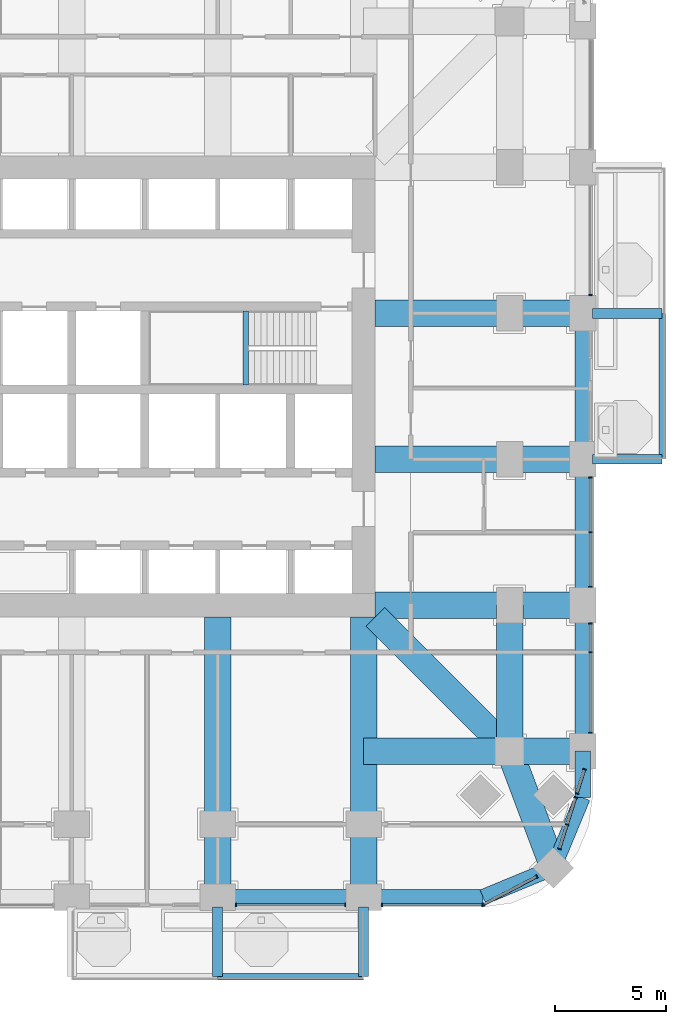
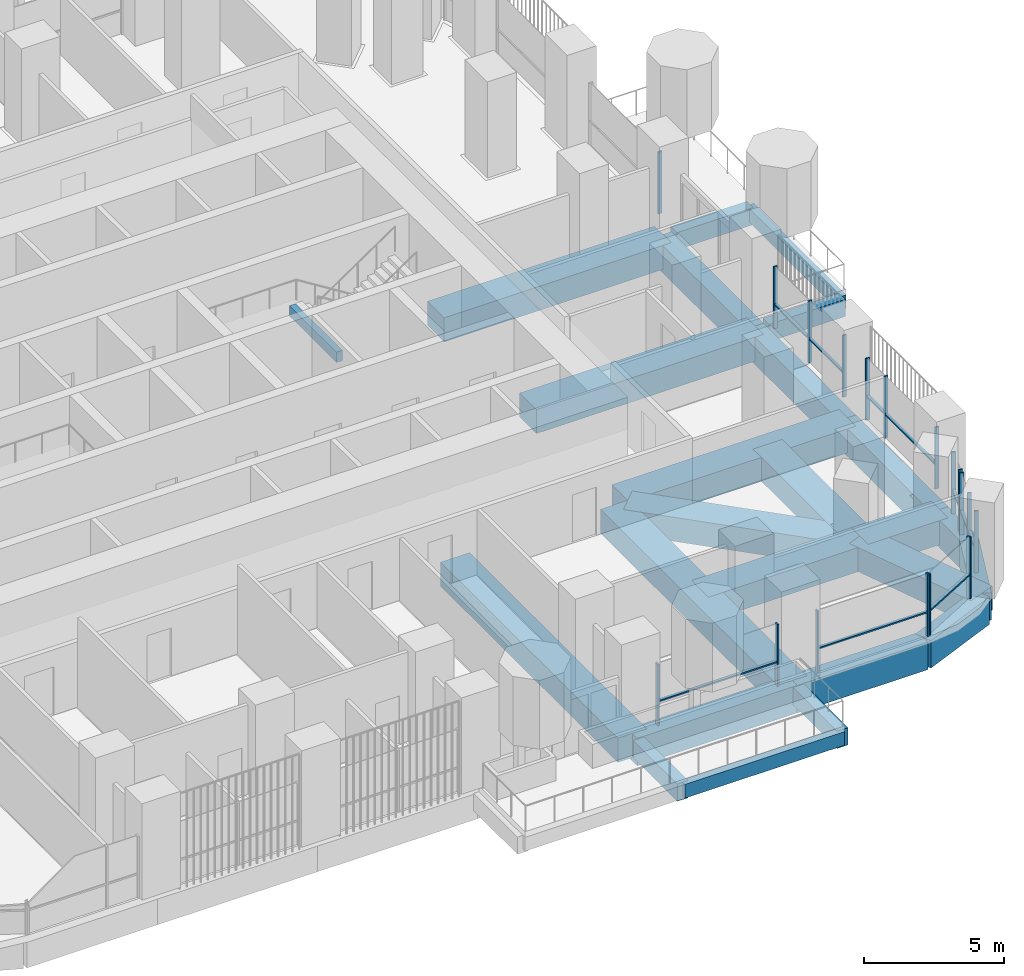
# One storey, part 5 of 22: 28 members, 25 beams, 8 elements without a shape of their own.
"""IFC4 building model written with IfcOpenShell, lengths in metres."""

from ifc_helpers import new_model, si_unit, direction, frame, origin, origin_2d, place, context, subcontext, project, spatial, rectangle, extrude, material, material_profile, profile_set, type_object, element, aggregate, save


model = new_model("IFC4")

# Units and contexts
model_context = context("Model", 3, precision=1e-05, world=origin(), true_north=direction((0.0, 1.0)))
body_context = subcontext(model_context, "Body", "Model", "MODEL_VIEW")
ifc_project = project(units=[si_unit("LENGTHUNIT", "METRE"), si_unit("AREAUNIT", "SQUARE_METRE"), si_unit("VOLUMEUNIT", "CUBIC_METRE"), si_unit("PLANEANGLEUNIT", "RADIAN"), si_unit("MASSUNIT", "GRAM", prefix="KILO")], contexts=[model_context])

# Site, building, storey
site_placement = place(None, origin())
site = spatial("IfcSite", under=ifc_project, at=site_placement, CompositionType="ELEMENT")
building_placement = place(site_placement, origin())
building = spatial("IfcBuilding", under=site, at=building_placement, Name="Cobogo Forest Laboratory Tower", CompositionType="ELEMENT")
storey_placement = place(building_placement, frame((0.0, 0.0, 94.800048828125)))
storey = spatial("IfcBuildingStorey", under=building, at=storey_placement, Name="L21", CompositionType="ELEMENT", Elevation=94.800048828125)

# Beams
ifc_material_1 = material(Name="Concrete HA-40 (C40/50)", Category="concrete")
ifc_material_profile_1 = material_profile(ifc_material_1, rectangle(XDim=0.449951171875, YDim=0.75, at=origin_2d()), Name="RC 450x750")
ifc_profile_set_1 = profile_set([ifc_material_profile_1], Name="Concrete HA-40 (C40/50)")
beam_type_1 = type_object("IfcBeamType", Name="Balcony cantilever beam 450x750", PredefinedType="BEAM", material=ifc_profile_set_1)
for number, where, z_axis, x_axis, name in (
    (1, (33.0, -0.449951171875, -0.625), (0.0, -1.0, 0.0), (1.0, 0.0, 0.0), "CB1 BAL-S1-C2 L21"),
    (2, (39.60009765625, -0.449951171875, -0.625), (0.0, -1.0, 0.0), (1.0, 0.0, 0.0), "CB1 BAL-S1-C3 L21"),
    (3, (49.949951171875, 19.800048828125, -0.625), (1.0, 0.0, 0.0), (0.0, 1.0, 0.0), "CB1 BAL-E1-C1 L21"),
    (4, (49.949951171875, 26.39990234375, -0.625), (1.0, 0.0, 0.0), (0.0, 1.0, 0.0), "CB1 BAL-E1-C2 L21"),
):
    element("IfcBeam", number, at=place(storey_placement, frame(where, z_axis=z_axis, x_axis=x_axis)), inside=storey, type_object=beam_type_1, Name=name, PredefinedType="BEAM", context=body_context, shape_type="SweptSolid", body=[
        extrude(rectangle(XDim=0.449951171875, YDim=0.75, at=origin_2d()), origin(), (0.0, 0.0, 1.0), 3.150146484375),
    ])
ifc_material_profile_2 = material_profile(ifc_material_1, rectangle(XDim=0.300048828125, YDim=0.60009765625, at=origin_2d()), Name="RC 300x600")
ifc_profile_set_2 = profile_set([ifc_material_profile_2], Name="Concrete HA-40 (C40/50)")
beam_type_2 = type_object("IfcBeamType", Name="Balcony edge beam 300x600", PredefinedType="BEAM", material=ifc_profile_set_2)
beam_1_placement = place(storey_placement, frame((33.0, -3.60009765625, -0.550048828125), z_axis=(1.0, 0.0, 0.0), x_axis=(0.0, 1.0, 0.0)))
element("IfcBeam", 5, at=beam_1_placement, inside=storey, type_object=beam_type_2, Name="BB1 BAL-S1-T2 L21", PredefinedType="BEAM", context=body_context, shape_type="SweptSolid", body=[
    extrude(rectangle(XDim=0.300048828125, YDim=0.60009765625, at=origin_2d()), origin(), (0.0, 0.0, 1.0), 6.60009765625),
])
beam_2_placement = place(storey_placement, frame((53.10009765625, 19.800048828125, -0.550048828125), z_axis=(0.0, 1.0, 0.0), x_axis=(-1.0, 0.0, 0.0)))
element("IfcBeam", 6, at=beam_2_placement, inside=storey, type_object=beam_type_2, Name="BB1 BAL-E1-T1 L21", PredefinedType="BEAM", context=body_context, shape_type="SweptSolid", body=[
    extrude(rectangle(XDim=0.300048828125, YDim=0.60009765625, at=origin_2d()), origin(), (0.0, 0.0, 1.0), 6.599853515625),
])
ifc_material_profile_3 = material_profile(ifc_material_1, rectangle(XDim=0.25, YDim=0.449951171875, at=origin_2d()), Name="RC 250x450")
ifc_profile_set_3 = profile_set([ifc_material_profile_3], Name="Concrete HA-40 (C40/50)")
beam_type_3 = type_object("IfcBeamType", Name="LB1 landing beam 250x450", PredefinedType="BEAM", material=ifc_profile_set_3)
beam_3_placement = place(storey_placement, frame((34.27001953125, 23.14990234375, 1.675048828125), z_axis=(0.0, 1.0, 0.0), x_axis=(-1.0, 0.0, 0.0)))
element("IfcBeam", 7, at=beam_3_placement, inside=storey, type_object=beam_type_3, Name="Landing beam ST2 L21", PredefinedType="BEAM", context=body_context, shape_type="SweptSolid", body=[
    extrude(rectangle(XDim=0.25, YDim=0.449951171875, at=origin_2d()), origin(), (0.0, 0.0, 1.0), 3.35009765625),
])
ifc_material_profile_4 = material_profile(ifc_material_1, rectangle(XDim=1.199951171875, YDim=1.050048828125, at=origin_2d()), Name="RC 1200x1050")
ifc_profile_set_4 = profile_set([ifc_material_profile_4], Name="Concrete HA-40 (C40/50)")
beam_type_4 = type_object("IfcBeamType", Name="Laboratory floor wide beam 1200x1050", PredefinedType="BEAM", material=ifc_profile_set_4)
for number, where, z_axis, x_axis, name in (
    (8, (33.0, 12.675048828125, -0.824951171875), (0.0, -1.0, 0.0), (1.0, 0.0, 0.0), "RB1 R-6-S L21"),
    (9, (39.60009765625, 12.675048828125, -0.824951171875), (0.0, -1.0, 0.0), (1.0, 0.0, 0.0), "RB1 R-7-S L21"),
):
    element("IfcBeam", number, at=place(storey_placement, frame(where, z_axis=z_axis, x_axis=x_axis)), inside=storey, type_object=beam_type_4, Name=name, PredefinedType="BEAM", context=body_context, shape_type="SweptSolid", body=[
        extrude(rectangle(XDim=1.199951171875, YDim=1.050048828125, at=origin_2d()), origin(), (0.0, 0.0, 1.0), 12.675048828125),
    ])
for number, where, z_axis, x_axis, name in (
    (10, (40.125, 13.199951171875, -0.824951171875), (1.0, 0.0, 0.0), (0.0, 1.0, 0.0), "RB1 R-C-E L21"),
    (11, (40.125, 19.800048828125, -0.824951171875), (1.0, 0.0, 0.0), (0.0, 1.0, 0.0), "RB1 R-D-E L21"),
    (12, (40.125, 26.39990234375, -0.824951171875), (1.0, 0.0, 0.0), (0.0, 1.0, 0.0), "RB1 R-E-E L21"),
):
    element("IfcBeam", number, at=place(storey_placement, frame(where, z_axis=z_axis, x_axis=x_axis)), inside=storey, type_object=beam_type_4, Name=name, PredefinedType="BEAM", context=body_context, shape_type="SweptSolid", body=[
        extrude(rectangle(XDim=1.199951171875, YDim=1.050048828125, at=origin_2d()), origin(), (0.0, 0.0, 1.0), 9.375),
    ])
beam_4_placement = place(storey_placement, frame((46.199951171875, 6.60009765625, -0.824951171875), z_axis=(0.0, 1.0, 0.0), x_axis=(-1.0, 0.0, 0.0)))
element("IfcBeam", 13, at=beam_4_placement, inside=storey, type_object=beam_type_4, Name="RB1 G-SE-XC L21", PredefinedType="BEAM", context=body_context, shape_type="SweptSolid", body=[
    extrude(rectangle(XDim=1.199951171875, YDim=1.050048828125, at=origin_2d()), origin(), (0.0, 0.0, 1.0), 6.599853515625),
])
beam_5_placement = place(storey_placement, frame((49.5, 6.60009765625, -0.824951171875), z_axis=(-1.0, 0.0, 0.0), x_axis=(0.0, -1.0, 0.0)))
element("IfcBeam", 14, at=beam_5_placement, inside=storey, type_object=beam_type_4, Name="RB1 G-SE-YF L21", PredefinedType="BEAM", context=body_context, shape_type="SweptSolid", body=[
    extrude(rectangle(XDim=1.199951171875, YDim=1.050048828125, at=origin_2d()), origin(), (0.0, 0.0, 1.0), 3.300048828125),
])
beam_6_placement = place(storey_placement, frame((46.199951171875, 6.60009765625, -0.824951171875), z_axis=(-1.0, 0.0, 0.0), x_axis=(0.0, -1.0, 0.0)))
element("IfcBeam", 15, at=beam_6_placement, inside=storey, type_object=beam_type_4, Name="RB1 G-SE-YC L21", PredefinedType="BEAM", context=body_context, shape_type="SweptSolid", body=[
    extrude(rectangle(XDim=1.199951171875, YDim=1.050048828125, at=origin_2d()), origin(), (0.0, 0.0, 1.0), 6.599853515625),
])
beam_7_placement = place(storey_placement, frame((48.181884765625, 1.318115234375, -0.824951171875), z_axis=(-0.351308391925, 0.936259800356, 0.0), x_axis=(-0.936259800356, -0.351308391925, 0.0)))
element("IfcBeam", 16, at=beam_7_placement, inside=storey, type_object=beam_type_4, Name="RB1 G-SE-D1 L21", PredefinedType="BEAM", context=body_context, shape_type="SweptSolid", body=[
    extrude(rectangle(XDim=1.199951171875, YDim=1.050048828125, at=origin_2d()), origin(), (0.0, 0.0, 1.0), 5.6416015625),
])
beam_8_placement = place(storey_placement, frame((46.199951171875, 6.60009765625, -0.824951171875), z_axis=(-0.707106781187, 0.707106781187, 0.0), x_axis=(-0.707106781187, -0.707106781187, 0.0)))
element("IfcBeam", 17, at=beam_8_placement, inside=storey, type_object=beam_type_4, Name="RB1 G-SE-D2 L21", PredefinedType="BEAM", context=body_context, shape_type="SweptSolid", body=[
    extrude(rectangle(XDim=1.199951171875, YDim=1.050048828125, at=origin_2d()), origin(), (0.0, 0.0, 1.0), 8.59130859375),
])

# Curtain wall, members
ifc_material_2 = material(Name="Aluminium curtain wall", Category="aluminium")
curtain_wall_type = type_object("IfcCurtainWallType", Name="CW-1 unitised curtain wall, clear glazing, laboratory floors zones A and B", PredefinedType="USERDEFINED", material=ifc_material_2)
curtain_wall_1_placement = place(storey_placement, origin())
curtain_wall_1 = element("IfcCurtainWall", 18, at=curtain_wall_1_placement, inside=storey, type_object=curtain_wall_type, Name="Curtain wall 05 L21", ObjectType="UNITISED CURTAIN WALL", PredefinedType="USERDEFINED")
ifc_material_3 = material(Name="Aluminium mullion", Category="aluminium")
ifc_material_profile_5 = material_profile(ifc_material_3, rectangle(XDim=0.06005859375, YDim=0.159912109375, at=origin_2d()), Name="AL 60x160")
ifc_profile_set_5 = profile_set([ifc_material_profile_5], Name="Aluminium mullion")
member_type_1 = type_object("IfcMemberType", Name="MU-1 aluminium mullion 60x160", PredefinedType="MULLION", material=ifc_profile_set_5)
member_1_placement = place(storey_placement, frame((33.830078125, -0.35009765625, 0.0), z_axis=(0.0, 0.0, 1.0), x_axis=(1.0, 0.0, 0.0)))
member_1 = element("IfcMember", 19, at=member_1_placement, type_object=member_type_1, Name="CW-1 mullion 1", PredefinedType="MULLION", context=body_context, shape_type="SweptSolid", body=[
    extrude(rectangle(XDim=0.06005859375, YDim=0.159912109375, at=origin_2d()), origin(), (0.0, 0.0, 1.0), 2.699951171875),
])
member_2_placement = place(storey_placement, frame((38.77001953125, -0.35009765625, 0.0), z_axis=(0.0, 0.0, 1.0), x_axis=(1.0, 0.0, 0.0)))
member_2 = element("IfcMember", 20, at=member_2_placement, type_object=member_type_1, Name="CW-1 mullion 2", PredefinedType="MULLION", context=body_context, shape_type="SweptSolid", body=[
    extrude(rectangle(XDim=0.06005859375, YDim=0.159912109375, at=origin_2d()), origin(), (0.0, 0.0, 1.0), 2.699951171875),
])

curtain_wall_2_placement = place(storey_placement, origin())
curtain_wall_2 = element("IfcCurtainWall", 21, at=curtain_wall_2_placement, inside=storey, type_object=curtain_wall_type, Name="Curtain wall 06 L21", ObjectType="UNITISED CURTAIN WALL", PredefinedType="USERDEFINED")
member_3_placement = place(storey_placement, frame((40.429931640625, -0.35009765625, 0.0), z_axis=(0.0, 0.0, 1.0), x_axis=(1.0, 0.0, 0.0)))
member_3 = element("IfcMember", 22, at=member_3_placement, type_object=member_type_1, Name="CW-1 mullion 1", PredefinedType="MULLION", context=body_context, shape_type="SweptSolid", body=[
    extrude(rectangle(XDim=0.06005859375, YDim=0.159912109375, at=origin_2d()), origin(), (0.0, 0.0, 1.0), 2.699951171875),
])
member_4_placement = place(storey_placement, frame((44.969970703125, -0.35009765625, 0.0), z_axis=(0.0, 0.0, 1.0), x_axis=(1.0, 0.0, 0.0)))
member_4 = element("IfcMember", 23, at=member_4_placement, type_object=member_type_1, Name="CW-1 mullion 2", PredefinedType="MULLION", context=body_context, shape_type="SweptSolid", body=[
    extrude(rectangle(XDim=0.06005859375, YDim=0.159912109375, at=origin_2d()), origin(), (0.0, 0.0, 1.0), 2.699951171875),
])

curtain_wall_3_placement = place(storey_placement, origin())
curtain_wall_3 = element("IfcCurtainWall", 24, at=curtain_wall_3_placement, inside=storey, type_object=curtain_wall_type, Name="Curtain wall 07 L21", ObjectType="UNITISED CURTAIN WALL", PredefinedType="USERDEFINED")
member_5_placement = place(storey_placement, frame((45.026611328125, -0.336181640625, 0.0), z_axis=(0.0, 0.0, 1.0), x_axis=(0.885686547075, 0.464283685186, 0.0)))
member_5 = element("IfcMember", 25, at=member_5_placement, type_object=member_type_1, Name="CW-1 mullion 1", PredefinedType="MULLION", context=body_context, shape_type="SweptSolid", body=[
    extrude(rectangle(XDim=0.06005859375, YDim=0.159912109375, at=origin_2d()), origin(), (0.0, 0.0, 1.0), 2.699951171875),
])
member_6_placement = place(storey_placement, frame((47.431640625, 0.9248046875, 0.0), z_axis=(0.0, 0.0, 1.0), x_axis=(0.885686547075, 0.464283685186, 0.0)))
member_6 = element("IfcMember", 26, at=member_6_placement, type_object=member_type_1, Name="CW-1 mullion 2", PredefinedType="MULLION", context=body_context, shape_type="SweptSolid", body=[
    extrude(rectangle(XDim=0.06005859375, YDim=0.159912109375, at=origin_2d()), origin(), (0.0, 0.0, 1.0), 2.699951171875),
])

curtain_wall_4_placement = place(storey_placement, origin())
curtain_wall_4 = element("IfcCurtainWall", 27, at=curtain_wall_4_placement, inside=storey, type_object=curtain_wall_type, Name="Curtain wall 08 L21", ObjectType="UNITISED CURTAIN WALL", PredefinedType="USERDEFINED")
member_7_placement = place(storey_placement, frame((48.455810546875, 2.18505859375, 0.0), z_axis=(0.0, 0.0, 1.0), x_axis=(0.301135291996, 0.953581425949, 0.0)))
member_7 = element("IfcMember", 28, at=member_7_placement, type_object=member_type_1, Name="CW-1 mullion 1", PredefinedType="MULLION", context=body_context, shape_type="SweptSolid", body=[
    extrude(rectangle(XDim=0.06005859375, YDim=0.159912109375, at=origin_2d()), origin(), (0.0, 0.0, 1.0), 2.699951171875),
])
member_8_placement = place(storey_placement, frame((48.80029296875, 3.27587890625, 0.0), z_axis=(0.0, 0.0, 1.0), x_axis=(0.301135291996, 0.953581425949, 0.0)))
member_8 = element("IfcMember", 29, at=member_8_placement, type_object=member_type_1, Name="CW-1 mullion 2", PredefinedType="MULLION", context=body_context, shape_type="SweptSolid", body=[
    extrude(rectangle(XDim=0.06005859375, YDim=0.159912109375, at=origin_2d()), origin(), (0.0, 0.0, 1.0), 2.699951171875),
])
member_9_placement = place(storey_placement, frame((49.18701171875, 4.500244140625, 0.0), z_axis=(0.0, 0.0, 1.0), x_axis=(0.301135291996, 0.953581425949, 0.0)))
member_9 = element("IfcMember", 30, at=member_9_placement, type_object=member_type_1, Name="CW-1 mullion 3", PredefinedType="MULLION", context=body_context, shape_type="SweptSolid", body=[
    extrude(rectangle(XDim=0.06005859375, YDim=0.159912109375, at=origin_2d()), origin(), (0.0, 0.0, 1.0), 2.699951171875),
])

curtain_wall_5_placement = place(storey_placement, origin())
curtain_wall_5 = element("IfcCurtainWall", 31, at=curtain_wall_5_placement, inside=storey, type_object=curtain_wall_type, Name="Curtain wall 09 L21", ObjectType="UNITISED CURTAIN WALL", PredefinedType="USERDEFINED")
member_10_placement = place(storey_placement, frame((49.247802734375, 4.69287109375, 0.0), z_axis=(0.0, 0.0, 1.0), x_axis=(0.301135667865, 0.953581307252, 0.0)))
member_10 = element("IfcMember", 32, at=member_10_placement, type_object=member_type_1, Name="CW-1 mullion 1", PredefinedType="MULLION", context=body_context, shape_type="SweptSolid", body=[
    extrude(rectangle(XDim=0.06005859375, YDim=0.159912109375, at=origin_2d()), origin(), (0.0, 0.0, 1.0), 2.699951171875),
])
member_11_placement = place(storey_placement, frame((49.58837890625, 5.771484375, 0.0), z_axis=(0.0, 0.0, 1.0), x_axis=(0.301135667865, 0.953581307252, 0.0)))
member_11 = element("IfcMember", 33, at=member_11_placement, type_object=member_type_1, Name="CW-1 mullion 2", PredefinedType="MULLION", context=body_context, shape_type="SweptSolid", body=[
    extrude(rectangle(XDim=0.06005859375, YDim=0.159912109375, at=origin_2d()), origin(), (0.0, 0.0, 1.0), 2.699951171875),
])

curtain_wall_6_placement = place(storey_placement, origin())
curtain_wall_6 = element("IfcCurtainWall", 34, at=curtain_wall_6_placement, inside=storey, type_object=curtain_wall_type, Name="Curtain wall 10 L21", ObjectType="UNITISED CURTAIN WALL", PredefinedType="USERDEFINED")
member_12_placement = place(storey_placement, frame((49.85009765625, 7.429931640625, 0.0), z_axis=(0.0, 0.0, 1.0), x_axis=(0.0, 1.0, 0.0)))
member_12 = element("IfcMember", 35, at=member_12_placement, type_object=member_type_1, Name="CW-1 mullion 1", PredefinedType="MULLION", context=body_context, shape_type="SweptSolid", body=[
    extrude(rectangle(XDim=0.06005859375, YDim=0.159912109375, at=origin_2d()), origin(), (0.0, 0.0, 1.0), 2.699951171875),
])
member_13_placement = place(storey_placement, frame((49.85009765625, 11.074951171875, 0.0), z_axis=(0.0, 0.0, 1.0), x_axis=(0.0, 1.0, 0.0)))
member_13 = element("IfcMember", 36, at=member_13_placement, type_object=member_type_1, Name="CW-1 mullion 2", PredefinedType="MULLION", context=body_context, shape_type="SweptSolid", body=[
    extrude(rectangle(XDim=0.06005859375, YDim=0.159912109375, at=origin_2d()), origin(), (0.0, 0.0, 1.0), 2.699951171875),
])
member_14_placement = place(storey_placement, frame((49.85009765625, 12.3701171875, 0.0), z_axis=(0.0, 0.0, 1.0), x_axis=(0.0, 1.0, 0.0)))
member_14 = element("IfcMember", 37, at=member_14_placement, type_object=member_type_1, Name="CW-1 mullion 3", PredefinedType="MULLION", context=body_context, shape_type="SweptSolid", body=[
    extrude(rectangle(XDim=0.06005859375, YDim=0.159912109375, at=origin_2d()), origin(), (0.0, 0.0, 1.0), 2.699951171875),
])

curtain_wall_7_placement = place(storey_placement, origin())
curtain_wall_7 = element("IfcCurtainWall", 38, at=curtain_wall_7_placement, inside=storey, type_object=curtain_wall_type, Name="Curtain wall 11 L21", ObjectType="UNITISED CURTAIN WALL", PredefinedType="USERDEFINED")
member_15_placement = place(storey_placement, frame((49.85009765625, 14.030029296875, 0.0), z_axis=(0.0, 0.0, 1.0), x_axis=(0.0, 1.0, 0.0)))
member_15 = element("IfcMember", 39, at=member_15_placement, type_object=member_type_1, Name="CW-1 mullion 1", PredefinedType="MULLION", context=body_context, shape_type="SweptSolid", body=[
    extrude(rectangle(XDim=0.06005859375, YDim=0.159912109375, at=origin_2d()), origin(), (0.0, 0.0, 1.0), 2.699951171875),
])
member_16_placement = place(storey_placement, frame((49.85009765625, 16.5, 0.0), z_axis=(0.0, 0.0, 1.0), x_axis=(0.0, 1.0, 0.0)))
member_16 = element("IfcMember", 40, at=member_16_placement, type_object=member_type_1, Name="CW-1 mullion 2", PredefinedType="MULLION", context=body_context, shape_type="SweptSolid", body=[
    extrude(rectangle(XDim=0.06005859375, YDim=0.159912109375, at=origin_2d()), origin(), (0.0, 0.0, 1.0), 2.699951171875),
])
member_17_placement = place(storey_placement, frame((49.85009765625, 18.969970703125, 0.0), z_axis=(0.0, 0.0, 1.0), x_axis=(0.0, 1.0, 0.0)))
member_17 = element("IfcMember", 41, at=member_17_placement, type_object=member_type_1, Name="CW-1 mullion 3", PredefinedType="MULLION", context=body_context, shape_type="SweptSolid", body=[
    extrude(rectangle(XDim=0.06005859375, YDim=0.159912109375, at=origin_2d()), origin(), (0.0, 0.0, 1.0), 2.699951171875),
])

# Curtain wall, member
curtain_wall_8_placement = place(storey_placement, origin())
curtain_wall_8 = element("IfcCurtainWall", 42, at=curtain_wall_8_placement, inside=storey, type_object=curtain_wall_type, Name="Curtain wall 13 L21", ObjectType="UNITISED CURTAIN WALL", PredefinedType="USERDEFINED")
member_18_placement = place(storey_placement, frame((49.85009765625, 27.22998046875, 0.0), z_axis=(0.0, 0.0, 1.0), x_axis=(0.0, 1.0, 0.0)))
member_18 = element("IfcMember", 43, at=member_18_placement, type_object=member_type_1, Name="CW-1 mullion 1", PredefinedType="MULLION", context=body_context, shape_type="SweptSolid", body=[
    extrude(rectangle(XDim=0.06005859375, YDim=0.159912109375, at=origin_2d()), origin(), (0.0, 0.0, 1.0), 2.699951171875),
])
aggregate(curtain_wall_8, [member_18])

# Beams
ifc_material_profile_6 = material_profile(ifc_material_1, rectangle(XDim=0.699951171875, YDim=1.199951171875, at=origin_2d()), Name="RC 700x1200")
ifc_profile_set_6 = profile_set([ifc_material_profile_6], Name="Concrete HA-40 (C40/50)")
beam_type_5 = type_object("IfcBeamType", Name="Perimeter edge beam 700x1200", PredefinedType="BEAM", material=ifc_profile_set_6)
beam_9_placement = place(storey_placement, frame((33.0, 0.0, -0.900146484375), z_axis=(1.0, 0.0, 0.0), x_axis=(0.0, 1.0, 0.0)))
element("IfcBeam", 44, at=beam_9_placement, inside=storey, type_object=beam_type_5, Name="EB1 E-S4 L21", PredefinedType="BEAM", context=body_context, shape_type="SweptSolid", body=[
    extrude(rectangle(XDim=0.699951171875, YDim=1.199951171875, at=origin_2d()), origin(), (0.0, 0.0, 1.0), 6.60009765625),
])
beam_10_placement = place(storey_placement, frame((49.5, 6.60009765625, -0.900146484375), z_axis=(0.0, 1.0, 0.0), x_axis=(-1.0, 0.0, 0.0)))
element("IfcBeam", 45, at=beam_10_placement, inside=storey, type_object=beam_type_5, Name="EB1 E-E1 L21", PredefinedType="BEAM", context=body_context, shape_type="SweptSolid", body=[
    extrude(rectangle(XDim=0.699951171875, YDim=1.199951171875, at=origin_2d()), origin(), (0.0, 0.0, 1.0), 6.599853515625),
])
beam_11_placement = place(storey_placement, frame((49.5, 13.199951171875, -0.900146484375), z_axis=(0.0, 1.0, 0.0), x_axis=(-1.0, 0.0, 0.0)))
element("IfcBeam", 46, at=beam_11_placement, inside=storey, type_object=beam_type_5, Name="EB1 E-E2 L21", PredefinedType="BEAM", context=body_context, shape_type="SweptSolid", body=[
    extrude(rectangle(XDim=0.699951171875, YDim=1.199951171875, at=origin_2d()), origin(), (0.0, 0.0, 1.0), 6.60009765625),
])
beam_12_placement = place(storey_placement, frame((49.5, 19.800048828125, -0.900146484375), z_axis=(0.0, 1.0, 0.0), x_axis=(-1.0, 0.0, 0.0)))
element("IfcBeam", 47, at=beam_12_placement, inside=storey, type_object=beam_type_5, Name="EB1 E-E3 L21", PredefinedType="BEAM", context=body_context, shape_type="SweptSolid", body=[
    extrude(rectangle(XDim=0.699951171875, YDim=1.199951171875, at=origin_2d()), origin(), (0.0, 0.0, 1.0), 6.599853515625),
])
beam_13_placement = place(storey_placement, frame((39.60009765625, 0.0, -0.900146484375), z_axis=(1.0, 0.0, 0.0), x_axis=(0.0, 1.0, 0.0)))
element("IfcBeam", 48, at=beam_13_placement, inside=storey, type_object=beam_type_5, Name="EB1 E-SES1 L21", PredefinedType="BEAM", context=body_context, shape_type="SweptSolid", body=[
    extrude(rectangle(XDim=0.699951171875, YDim=1.199951171875, at=origin_2d()), origin(), (0.0, 0.0, 1.0), 5.39990234375),
])
beam_14_placement = place(storey_placement, frame((45.0, 0.0, -0.900146484375), z_axis=(0.923865631356, 0.382716990999, 0.0), x_axis=(-0.382716990999, 0.923865631356, 0.0)))
element("IfcBeam", 49, at=beam_14_placement, inside=storey, type_object=beam_type_5, Name="EB1 E-SES2 L21", PredefinedType="BEAM", context=body_context, shape_type="SweptSolid", body=[
    extrude(rectangle(XDim=0.699951171875, YDim=1.199951171875, at=origin_2d()), origin(), (0.0, 0.0, 1.0), 3.444091796875),
])
beam_15_placement = place(storey_placement, frame((49.5, 6.60009765625, -0.900146484375), z_axis=(0.0, -1.0, 0.0), x_axis=(1.0, 0.0, 0.0)))
element("IfcBeam", 50, at=beam_15_placement, inside=storey, type_object=beam_type_5, Name="EB1 E-SEE1 L21", PredefinedType="BEAM", context=body_context, shape_type="SweptSolid", body=[
    extrude(rectangle(XDim=0.699951171875, YDim=1.199951171875, at=origin_2d()), origin(), (0.0, 0.0, 1.0), 2.10009765625),
])
beam_16_placement = place(storey_placement, frame((49.5, 4.5, -0.900146484375), z_axis=(-0.382716990999, -0.923865631356, 0.0), x_axis=(0.923865631356, -0.382716990999, 0.0)))
element("IfcBeam", 51, at=beam_16_placement, inside=storey, type_object=beam_type_5, Name="EB1 E-SEE2 L21", PredefinedType="BEAM", context=body_context, shape_type="SweptSolid", body=[
    extrude(rectangle(XDim=0.699951171875, YDim=1.199951171875, at=origin_2d()), origin(), (0.0, 0.0, 1.0), 3.444091796875),
])

# Member
ifc_material_4 = material(Name="Aluminium transom", Category="aluminium")
ifc_material_profile_7 = material_profile(ifc_material_4, rectangle(XDim=0.1201171875, YDim=0.06005859375, at=origin_2d()), Name="AL 60x120")
ifc_profile_set_7 = profile_set([ifc_material_profile_7], Name="Aluminium transom")
member_type_2 = type_object("IfcMemberType", Name="TR-1 aluminium transom 60x120", PredefinedType="USERDEFINED", material=ifc_profile_set_7)
member_19_placement = place(storey_placement, frame((33.860107421875, -0.35009765625, 1.050048828125), z_axis=(1.0, 0.0, 0.0), x_axis=(0.0, 1.0, 0.0)))
member_19 = element("IfcMember", 52, at=member_19_placement, type_object=member_type_2, Name="CW-1 transom 1.1", ObjectType="TRANSOM", PredefinedType="USERDEFINED", context=body_context, shape_type="SweptSolid", body=[
    extrude(rectangle(XDim=0.1201171875, YDim=0.06005859375, at=origin_2d()), origin(), (0.0, 0.0, 1.0), 4.8798828125),
])

aggregate(curtain_wall_1, [member_1, member_2, member_19])

member_20_placement = place(storey_placement, frame((40.4599609375, -0.35009765625, 1.050048828125), z_axis=(1.0, 0.0, 0.0), x_axis=(0.0, 1.0, 0.0)))
member_20 = element("IfcMember", 53, at=member_20_placement, type_object=member_type_2, Name="CW-1 transom 1.1", ObjectType="TRANSOM", PredefinedType="USERDEFINED", context=body_context, shape_type="SweptSolid", body=[
    extrude(rectangle(XDim=0.1201171875, YDim=0.06005859375, at=origin_2d()), origin(), (0.0, 0.0, 1.0), 4.47998046875),
])

aggregate(curtain_wall_2, [member_3, member_4, member_20])

member_21_placement = place(storey_placement, frame((45.05322265625, -0.322021484375, 1.050048828125), z_axis=(0.885674922116, 0.464305860758, 0.0), x_axis=(-0.464305860758, 0.885674922116, 0.0)))
member_21 = element("IfcMember", 54, at=member_21_placement, type_object=member_type_2, Name="CW-1 transom 1.1", ObjectType="TRANSOM", PredefinedType="USERDEFINED", context=body_context, shape_type="SweptSolid", body=[
    extrude(rectangle(XDim=0.1201171875, YDim=0.06005859375, at=origin_2d()), origin(), (0.0, 0.0, 1.0), 2.6552734375),
])

aggregate(curtain_wall_3, [member_5, member_6, member_21])

member_22_placement = place(storey_placement, frame((48.46484375, 2.213623046875, 1.050048828125), z_axis=(0.301120589075, 0.953586068918, 0.0), x_axis=(-0.953586068918, 0.301120589075, 0.0)))
member_22 = element("IfcMember", 55, at=member_22_placement, type_object=member_type_2, Name="CW-1 transom 1.1", ObjectType="TRANSOM", PredefinedType="USERDEFINED", context=body_context, shape_type="SweptSolid", body=[
    extrude(rectangle(XDim=0.1201171875, YDim=0.06005859375, at=origin_2d()), origin(), (0.0, 0.0, 1.0), 1.083984375),
])

member_23_placement = place(storey_placement, frame((48.809326171875, 3.304443359375, 1.050048828125), z_axis=(0.301169549566, 0.953570606937, 0.0), x_axis=(-0.953570606937, 0.301169549566, 0.0)))
member_23 = element("IfcMember", 56, at=member_23_placement, type_object=member_type_2, Name="CW-1 transom 2.1", ObjectType="TRANSOM", PredefinedType="USERDEFINED", context=body_context, shape_type="SweptSolid", body=[
    extrude(rectangle(XDim=0.1201171875, YDim=0.06005859375, at=origin_2d()), origin(), (0.0, 0.0, 1.0), 1.22412109375),
])

aggregate(curtain_wall_4, [member_7, member_8, member_9, member_22, member_23])

member_24_placement = place(storey_placement, frame((49.2568359375, 4.7216796875, 1.050048828125), z_axis=(0.301207754852, 0.953558539586, 0.0), x_axis=(-0.953558539586, 0.301207754852, 0.0)))
member_24 = element("IfcMember", 57, at=member_24_placement, type_object=member_type_2, Name="CW-1 transom 1.1", ObjectType="TRANSOM", PredefinedType="USERDEFINED", context=body_context, shape_type="SweptSolid", body=[
    extrude(rectangle(XDim=0.1201171875, YDim=0.06005859375, at=origin_2d()), origin(), (0.0, 0.0, 1.0), 1.07080078125),
])

aggregate(curtain_wall_5, [member_10, member_11, member_24])

member_25_placement = place(storey_placement, frame((49.85009765625, 7.4599609375, 1.050048828125), z_axis=(0.0, 1.0, 0.0), x_axis=(-1.0, 0.0, 0.0)))
member_25 = element("IfcMember", 58, at=member_25_placement, type_object=member_type_2, Name="CW-1 transom 1.1", ObjectType="TRANSOM", PredefinedType="USERDEFINED", context=body_context, shape_type="SweptSolid", body=[
    extrude(rectangle(XDim=0.1201171875, YDim=0.06005859375, at=origin_2d()), origin(), (0.0, 0.0, 1.0), 3.5849609375),
])

member_26_placement = place(storey_placement, frame((49.85009765625, 11.10498046875, 1.050048828125), z_axis=(0.0, 1.0, 0.0), x_axis=(-1.0, 0.0, 0.0)))
member_26 = element("IfcMember", 59, at=member_26_placement, type_object=member_type_2, Name="CW-1 transom 2.1", ObjectType="TRANSOM", PredefinedType="USERDEFINED", context=body_context, shape_type="SweptSolid", body=[
    extrude(rectangle(XDim=0.1201171875, YDim=0.06005859375, at=origin_2d()), origin(), (0.0, 0.0, 1.0), 1.235107421875),
])

aggregate(curtain_wall_6, [member_12, member_13, member_14, member_25, member_26])

member_27_placement = place(storey_placement, frame((49.85009765625, 14.06005859375, 1.050048828125), z_axis=(0.0, 1.0, 0.0), x_axis=(-1.0, 0.0, 0.0)))
member_27 = element("IfcMember", 60, at=member_27_placement, type_object=member_type_2, Name="CW-1 transom 1.1", ObjectType="TRANSOM", PredefinedType="USERDEFINED", context=body_context, shape_type="SweptSolid", body=[
    extrude(rectangle(XDim=0.1201171875, YDim=0.06005859375, at=origin_2d()), origin(), (0.0, 0.0, 1.0), 2.409912109375),
])

member_28_placement = place(storey_placement, frame((49.85009765625, 16.530029296875, 1.050048828125), z_axis=(0.0, 1.0, 0.0), x_axis=(-1.0, 0.0, 0.0)))
member_28 = element("IfcMember", 61, at=member_28_placement, type_object=member_type_2, Name="CW-1 transom 2.1", ObjectType="TRANSOM", PredefinedType="USERDEFINED", context=body_context, shape_type="SweptSolid", body=[
    extrude(rectangle(XDim=0.1201171875, YDim=0.06005859375, at=origin_2d()), origin(), (0.0, 0.0, 1.0), 2.409912109375),
])

aggregate(curtain_wall_7, [member_15, member_16, member_17, member_27, member_28])

save(model, "model.ifc")
